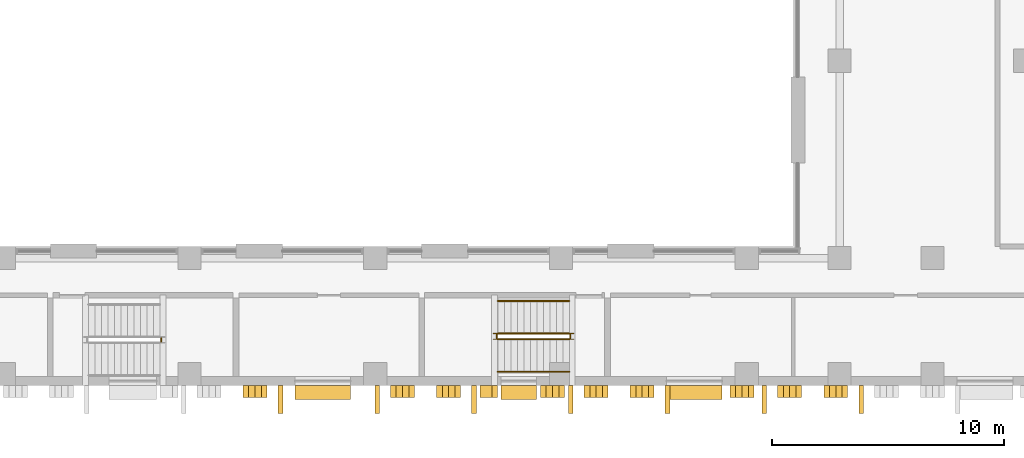
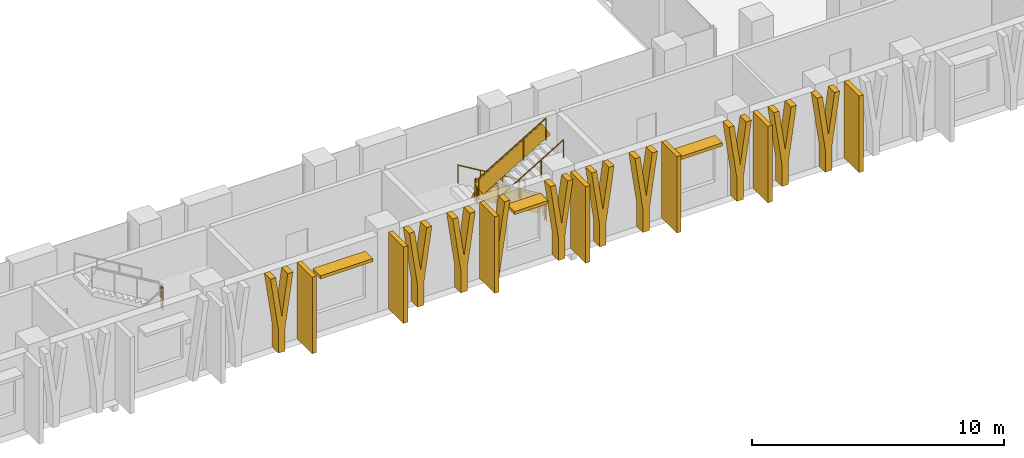
# One storey, part 21 of 26: 20 shading devices, 7 railings.
"""IFC4 building model written with IfcOpenShell, lengths in metres."""

from ifc_helpers import new_model, si_unit, direction, frame, frame_2d, origin, origin_2d, place, context, subcontext, project, spatial, polyline, rectangle, circle, outline, extrude, material, layer, layer_set, type_object, element, save


model = new_model("IFC4")

# Units and contexts
model_context = context("Model", 3, precision=1e-05, world=origin(), true_north=direction((0.0, 1.0)))
body_context = subcontext(model_context, "Body", "Model", "MODEL_VIEW")
ifc_project = project(units=[si_unit("LENGTHUNIT", "METRE"), si_unit("AREAUNIT", "SQUARE_METRE"), si_unit("VOLUMEUNIT", "CUBIC_METRE"), si_unit("PLANEANGLEUNIT", "RADIAN"), si_unit("MASSUNIT", "GRAM", prefix="KILO")], contexts=[model_context])

# Site, building, storey
site_placement = place(None, origin())
site = spatial("IfcSite", under=ifc_project, at=site_placement, CompositionType="ELEMENT")
building_placement = place(site_placement, origin())
building = spatial("IfcBuilding", under=site, at=building_placement, Name="Vidyagriha Tower", CompositionType="ELEMENT")
storey_placement = place(building_placement, frame((0.0, 0.0, 6.0)))
storey = spatial("IfcBuildingStorey", under=building, at=storey_placement, Name="L01", CompositionType="ELEMENT", Elevation=6.0)

# Shading devices
ifc_material_1 = material(Name="Precast concrete C40/50 with brick facing", Category="concrete")
ifc_layer_1 = layer(ifc_material_1, 0.14990234375)
ifc_layer_set_1 = layer_set([ifc_layer_1], Name="Precast concrete C40/50 with brick facing")
shading_device_type_1 = type_object("IfcShadingDeviceType", Name="Brick chhajja window hood", PredefinedType="AWNING", material=ifc_layer_set_1)
shading_device_1_placement = place(storey_placement, frame((-0.264892578125, -50.300048828125, 3.0)))
element("IfcShadingDevice", 1, at=shading_device_1_placement, inside=storey, type_object=shading_device_type_1, Name="Window hood L01 R06.20", PredefinedType="AWNING", context=body_context, shape_type="SweptSolid", body=[
    extrude(rectangle(XDim=2.39990234375, YDim=0.60009765625, at=origin_2d()), origin(), (0.0, 0.0, 1.0), 0.14990234375),
])
shading_device_2_placement = place(storey_placement, frame((8.175048828125, -50.300048828125, 3.0)))
element("IfcShadingDevice", 2, at=shading_device_2_placement, inside=storey, type_object=shading_device_type_1, Name="Window hood L01 R06.24", PredefinedType="AWNING", context=body_context, shape_type="SweptSolid", body=[
    extrude(rectangle(XDim=1.52001953125, YDim=0.60009765625, at=origin_2d()), origin(), (0.0, 0.0, 1.0), 0.14990234375),
])
shading_device_3_placement = place(storey_placement, frame((15.735107421875, -50.300048828125, 3.0)))
element("IfcShadingDevice", 3, at=shading_device_3_placement, inside=storey, type_object=shading_device_type_1, Name="Window hood L01 R06.28", PredefinedType="AWNING", context=body_context, shape_type="SweptSolid", body=[
    extrude(rectangle(XDim=2.39990234375, YDim=0.60009765625, at=origin_2d()), origin(), (0.0, 0.0, 1.0), 0.14990234375),
])
ifc_material_2 = material(Name="Precast concrete C40/50 with buff brick facing", Category="concrete")
ifc_layer_2 = layer(ifc_material_2, 0.300048828125)
ifc_layer_set_2 = layer_set([ifc_layer_2], Name="Precast concrete C40/50 with buff brick facing")
shading_device_type_2 = type_object("IfcShadingDeviceType", Name="Brick-faced podium blade forking 8 degrees", PredefinedType="USERDEFINED", material=ifc_layer_set_2)
for number, where, name in (
    (4, (-3.691650390625, -50.25, 0.0), "Podium blade L01 R06.3642"),
    (5, (2.660888671875, -50.25, 0.0), "Podium blade L01 R06.4278"),
    (6, (4.64501953125, -50.25, 0.0), "Podium blade L01 R06.4476"),
    (7, (9.112548828125, -50.25, 0.0), "Podium blade L01 R06.4923"),
    (8, (10.997802734375, -50.25, 0.0), "Podium blade L01 R06.5111"),
    (9, (12.98193359375, -50.25, 0.0), "Podium blade L01 R06.5310"),
    (10, (17.281005859375, -50.25, 0.0), "Podium blade L01 R06.5740"),
    (11, (19.334716796875, -50.25, 0.0), "Podium blade L01 R06.5945"),
    (12, (21.31884765625, -50.25, 0.0), "Podium blade L01 R06.6143"),
):
    element("IfcShadingDevice", number, at=place(storey_placement, frame(where)), inside=storey, type_object=shading_device_type_2, Name=name, ObjectType="BLADE FIN", PredefinedType="USERDEFINED", context=body_context, shape_type="SweptSolid", body=[
        extrude(outline(polyline([(0.665283203125, 0.0), (0.665283203125, 1.10009765625), (1.03076171875, 3.699951171875), (0.790771484375, 3.699951171875), (0.515380859375, 1.740478515625), (0.239990234375, 3.699951171875), (0.0, 3.699951171875), (0.365478515625, 1.10009765625), (0.365478515625, 0.0), (0.665283203125, 0.0)])), frame((0.0, 0.25, 0.0), z_axis=(0.0, -1.0, 0.0), x_axis=(1.0, 0.0, 0.0)), (0.0, 0.0, 1.0), 0.5),
    ])
ifc_material_3 = material(Name="Precast concrete C40/50 with buff brick facing", Category="concrete")
ifc_layer_3 = layer(ifc_material_3, 0.239990234375)
ifc_layer_set_3 = layer_set([ifc_layer_3], Name="Precast concrete C40/50 with buff brick facing")
shading_device_type_3 = type_object("IfcShadingDeviceType", Name="Brick-faced podium blade leaning 8 degrees", PredefinedType="USERDEFINED", material=ifc_layer_set_3)
shading_device_4_placement = place(storey_placement, frame((6.50390625, -50.25, 0.0)))
element("IfcShadingDevice", 13, at=shading_device_4_placement, inside=storey, type_object=shading_device_type_3, Name="Podium blade L01 R06.4648", ObjectType="BLADE FIN", PredefinedType="USERDEFINED", context=body_context, shape_type="SweptSolid", body=[
    extrude(outline(polyline([(0.0, 0.0), (0.239990234375, 0.0), (0.760009765625, 3.699951171875), (0.52001953125, 3.699951171875), (0.0, 0.0)])), frame((0.0, 0.25, 0.0), z_axis=(0.0, -1.0, 0.0), x_axis=(1.0, 0.0, 0.0)), (0.0, 0.0, 1.0), 0.5),
])
ifc_material_4 = material(Name="Precast concrete C40/50 with brick facing", Category="concrete")
ifc_layer_4 = layer(ifc_material_4, 0.199951171875)
ifc_layer_set_4 = layer_set([ifc_layer_4], Name="Precast concrete C40/50 with brick facing")
shading_device_type_4 = type_object("IfcShadingDeviceType", Name="Brick-faced solar fin 1200", PredefinedType="USERDEFINED", material=ifc_layer_set_4)
for number, where, z_axis, x_axis, name in (
    (14, (-2.084228515625, -50.0, 0.0), (0.0, 0.0, 1.0), (0.0, -1.0, 0.0), "Solar fin L01 R06.9"),
    (15, (2.084228515625, -50.0, 0.0), (0.0, 0.0, 1.0), (0.0, -1.0, 0.0), "Solar fin L01 R06.10"),
    (16, (6.252685546875, -50.0, 0.0), (0.0, 0.0, 1.0), (0.0, -1.0, 0.0), "Solar fin L01 R06.11"),
    (17, (10.421142578125, -50.0, 0.0), (0.0, 0.0, 1.0), (0.0, -1.0, 0.0), "Solar fin L01 R06.12"),
    (18, (14.589599609375, -50.0, 0.0), (0.0, 0.0, 1.0), (0.0, -1.0, 0.0), "Solar fin L01 R06.13"),
    (19, (18.7578125, -50.0, 0.0), (0.0, 0.0, 1.0), (0.0, -1.0, 0.0), "Solar fin L01 R06.14"),
    (20, (22.92626953125, -50.0, 0.0), (0.0, 0.0, 1.0), (0.0, -1.0, 0.0), "Solar fin L01 R06.15"),
):
    element("IfcShadingDevice", number, at=place(storey_placement, frame(where, z_axis=z_axis, x_axis=x_axis)), inside=storey, type_object=shading_device_type_4, Name=name, ObjectType="SOLAR FIN", PredefinedType="USERDEFINED", context=body_context, shape_type="SweptSolid", body=[
        extrude(rectangle(XDim=1.199951171875, YDim=0.199951171875, at=frame_2d((0.60009765625, 0.0))), origin(), (0.0, 0.0, 1.0), 3.699951171875),
    ])

# Railings
ifc_material_5 = material(Name="Powder coated ASTM A500 Grade C steel balustrade", Category="steel")
railing_type_1 = type_object("IfcRailingType", Name="Podium Stair Guard 1100", PredefinedType="GUARDRAIL", material=ifc_material_5)
railing_1_placement = place(storey_placement, frame((-7.22509765625, -48.10009765625, 2.0)))
element("IfcRailing", 21, at=railing_1_placement, inside=storey, type_object=railing_type_1, Name="L01 PS3 stair guard 2", PredefinedType="GUARDRAIL", context=body_context, shape_type="SweptSolid", body=[
    extrude(circle(Radius=0.02392578125, at=origin_2d()), frame((0.0, 0.0, 1.076171875), z_axis=(0.0, 1.0, 0.0), x_axis=(-1.0, 0.0, 0.0)), (0.0, 0.0, 1.0), 0.150146484375),
    extrude(circle(Radius=0.02099609375, at=origin_2d()), origin(), (0.0, 0.0, 1.0), 1.052001953125),
    extrude(circle(Radius=0.02099609375, at=origin_2d()), frame((0.0, 0.150146484375, 0.0)), (0.0, 0.0, 1.0), 1.052001953125),
    extrude(rectangle(XDim=0.010009765625, YDim=0.902099609375, at=origin_2d()), frame((0.0, 0.0, 0.551025390625), z_axis=(0.0, 1.0, 0.0), x_axis=(-1.0, 0.0, 0.0)), (0.0, 0.0, 1.0), 0.150146484375),
])
railing_2_placement = place(storey_placement, frame((10.35498046875, -47.75, 0.166748046875)))
element("IfcRailing", 22, at=railing_2_placement, inside=storey, type_object=railing_type_1, Name="L01 PS4 stair guard 1", PredefinedType="GUARDRAIL", context=body_context, shape_type="SweptSolid", body=[
    extrude(circle(Radius=0.02392578125, at=origin_2d()), frame((0.0, 0.0, 1.076171875), z_axis=(-0.859308565015, 0.0, 0.511457515432), x_axis=(0.0, -1.0, 0.0)), (0.0, 0.0, 1.0), 3.58447265625),
    extrude(circle(Radius=0.02099609375, at=origin_2d()), origin(), (0.0, 0.0, 1.0), 1.052001953125),
    extrude(circle(Radius=0.02099609375, at=origin_2d()), frame((-1.026611328125, 0.0, 0.611083984375)), (0.0, 0.0, 1.0), 1.052001953125),
    extrude(circle(Radius=0.02099609375, at=origin_2d()), frame((-2.053466796875, 0.0, 1.22216796875)), (0.0, 0.0, 1.0), 1.052001953125),
    extrude(circle(Radius=0.02099609375, at=origin_2d()), frame((-3.080078125, 0.0, 1.833251953125)), (0.0, 0.0, 1.0), 1.052001953125),
    extrude(rectangle(XDim=0.010009765625, YDim=0.775146484375, at=origin_2d()), frame((0.0, 0.0, 0.551025390625), z_axis=(-0.859308565015, 0.0, 0.511457515432), x_axis=(0.0, -1.0, 0.0)), (0.0, 0.0, 1.0), 3.58447265625),
])
railing_3_placement = place(storey_placement, frame((7.22509765625, -47.800048828125, 2.0)))
element("IfcRailing", 23, at=railing_3_placement, inside=storey, type_object=railing_type_1, Name="L01 PS4 stair guard 2", PredefinedType="GUARDRAIL", context=body_context, shape_type="SweptSolid", body=[
    extrude(circle(Radius=0.02392578125, at=origin_2d()), frame((0.0, 0.0, 1.076171875), z_axis=(0.0, -1.0, 0.0), x_axis=(1.0, 0.0, 0.0)), (0.0, 0.0, 1.0), 0.14990234375),
    extrude(circle(Radius=0.02099609375, at=origin_2d()), origin(), (0.0, 0.0, 1.0), 1.052001953125),
    extrude(circle(Radius=0.02099609375, at=origin_2d()), frame((0.0, -0.14990234375, 0.0)), (0.0, 0.0, 1.0), 1.052001953125),
    extrude(rectangle(XDim=0.010009765625, YDim=0.902099609375, at=origin_2d()), frame((0.0, 0.0, 0.551025390625), z_axis=(0.0, -1.0, 0.0), x_axis=(1.0, 0.0, 0.0)), (0.0, 0.0, 1.0), 0.14990234375),
])
railing_4_placement = place(storey_placement, frame((7.27490234375, -48.0, 2.166748046875)))
element("IfcRailing", 24, at=railing_4_placement, inside=storey, type_object=railing_type_1, Name="L01 PS4 stair guard 3", PredefinedType="GUARDRAIL", context=body_context, shape_type="SweptSolid", body=[
    extrude(circle(Radius=0.02392578125, at=origin_2d()), frame((0.0, 0.0, 1.076171875), z_axis=(0.859308565015, 0.0, 0.511457515432), x_axis=(0.0, 1.0, 0.0)), (0.0, 0.0, 1.0), 3.58447265625),
    extrude(circle(Radius=0.02099609375, at=origin_2d()), origin(), (0.0, 0.0, 1.0), 1.052001953125),
    extrude(circle(Radius=0.02099609375, at=origin_2d()), frame((1.026611328125, 0.0, 0.611083984375)), (0.0, 0.0, 1.0), 1.052001953125),
    extrude(circle(Radius=0.02099609375, at=origin_2d()), frame((2.053466796875, 0.0, 1.22216796875)), (0.0, 0.0, 1.0), 1.052001953125),
    extrude(circle(Radius=0.02099609375, at=origin_2d()), frame((3.080078125, 0.0, 1.833251953125)), (0.0, 0.0, 1.0), 1.052001953125),
    extrude(rectangle(XDim=0.010009765625, YDim=0.775146484375, at=origin_2d()), frame((0.0, 0.0, 0.551025390625), z_axis=(0.859308565015, 0.0, 0.511457515432), x_axis=(0.0, 1.0, 0.0)), (0.0, 0.0, 1.0), 3.58447265625),
])
railing_5_placement = place(storey_placement, frame((10.405029296875, -47.800048828125, 0.0)))
element("IfcRailing", 25, at=railing_5_placement, inside=storey, type_object=railing_type_1, Name="L01 PS4 stair guard 4", PredefinedType="GUARDRAIL", context=body_context, shape_type="SweptSolid", body=[
    extrude(circle(Radius=0.02392578125, at=origin_2d()), frame((0.0, 0.0, 1.076171875), z_axis=(0.0, -1.0, 0.0), x_axis=(1.0, 0.0, 0.0)), (0.0, 0.0, 1.0), 0.14990234375),
    extrude(circle(Radius=0.02099609375, at=origin_2d()), origin(), (0.0, 0.0, 1.0), 1.052001953125),
    extrude(circle(Radius=0.02099609375, at=origin_2d()), frame((0.0, -0.14990234375, 0.0)), (0.0, 0.0, 1.0), 1.052001953125),
    extrude(rectangle(XDim=0.010009765625, YDim=0.902099609375, at=origin_2d()), frame((0.0, 0.0, 0.551025390625), z_axis=(0.0, -1.0, 0.0), x_axis=(1.0, 0.0, 0.0)), (0.0, 0.0, 1.0), 0.14990234375),
])
ifc_material_6 = material(Name="Powder coated ASTM A500 Grade C steel handrail", Category="steel")
railing_type_2 = type_object("IfcRailingType", Name="Podium Stair Handrail 900", PredefinedType="HANDRAIL", material=ifc_material_6)
railing_6_placement = place(storey_placement, frame((10.35498046875, -46.35009765625, 0.166748046875)))
element("IfcRailing", 26, at=railing_6_placement, inside=storey, type_object=railing_type_2, Name="L01 PS4 stair handrail 1", PredefinedType="HANDRAIL", context=body_context, shape_type="SweptSolid", body=[
    extrude(circle(Radius=0.02392578125, at=origin_2d()), frame((0.0, 0.0, 0.8759765625), z_axis=(-0.859308565015, 0.0, 0.511457515432), x_axis=(0.0, -1.0, 0.0)), (0.0, 0.0, 1.0), 3.58447265625),
    extrude(circle(Radius=0.02099609375, at=origin_2d()), origin(), (0.0, 0.0, 1.0), 0.851806640625),
    extrude(circle(Radius=0.02099609375, at=origin_2d()), frame((-1.026611328125, 0.0, 0.611083984375)), (0.0, 0.0, 1.0), 0.851806640625),
    extrude(circle(Radius=0.02099609375, at=origin_2d()), frame((-2.053466796875, 0.0, 1.22216796875)), (0.0, 0.0, 1.0), 0.851806640625),
    extrude(circle(Radius=0.02099609375, at=origin_2d()), frame((-3.080078125, 0.0, 1.833251953125)), (0.0, 0.0, 1.0), 0.851806640625),
])
railing_7_placement = place(storey_placement, frame((7.27490234375, -49.39990234375, 2.166748046875)))
element("IfcRailing", 27, at=railing_7_placement, inside=storey, type_object=railing_type_2, Name="L01 PS4 stair handrail 2", PredefinedType="HANDRAIL", context=body_context, shape_type="SweptSolid", body=[
    extrude(circle(Radius=0.02392578125, at=origin_2d()), frame((0.0, 0.0, 0.8759765625), z_axis=(0.859308565015, 0.0, 0.511457515432), x_axis=(0.0, 1.0, 0.0)), (0.0, 0.0, 1.0), 3.58447265625),
    extrude(circle(Radius=0.02099609375, at=origin_2d()), origin(), (0.0, 0.0, 1.0), 0.851806640625),
    extrude(circle(Radius=0.02099609375, at=origin_2d()), frame((1.026611328125, 0.0, 0.611083984375)), (0.0, 0.0, 1.0), 0.851806640625),
    extrude(circle(Radius=0.02099609375, at=origin_2d()), frame((2.053466796875, 0.0, 1.22216796875)), (0.0, 0.0, 1.0), 0.851806640625),
    extrude(circle(Radius=0.02099609375, at=origin_2d()), frame((3.080078125, 0.0, 1.833251953125)), (0.0, 0.0, 1.0), 0.851806640625),
])

save(model, "model.ifc")
